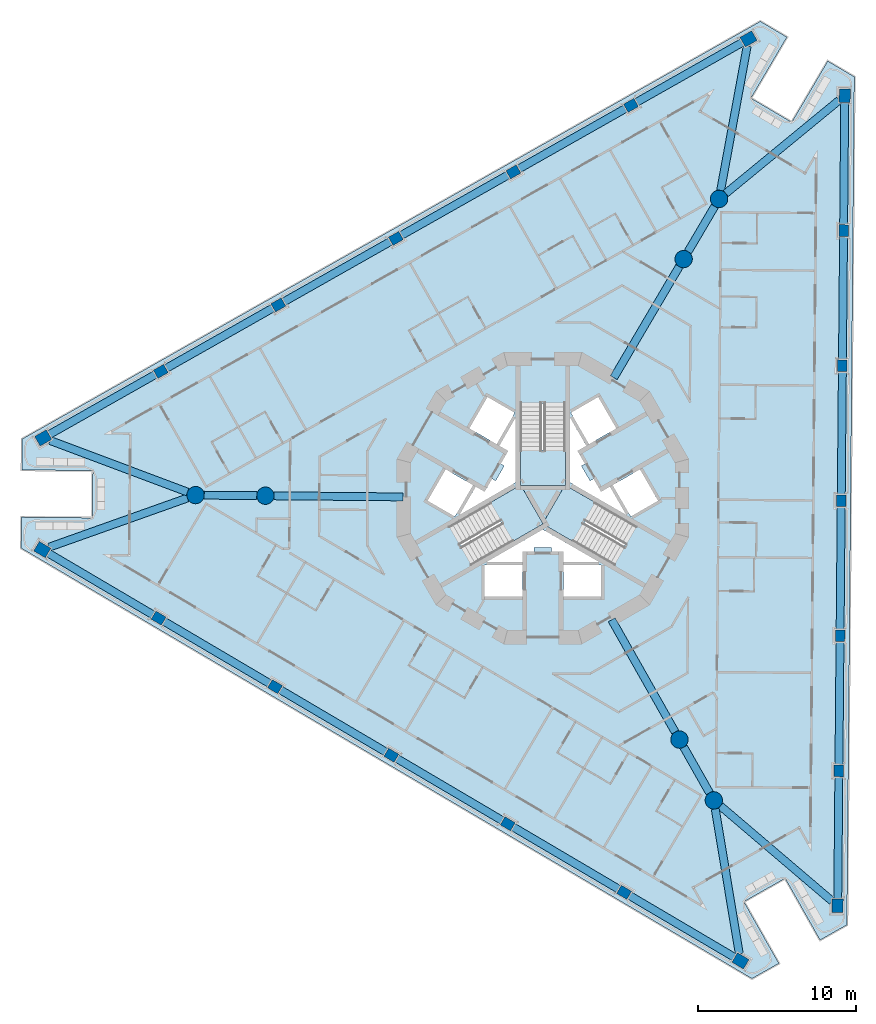
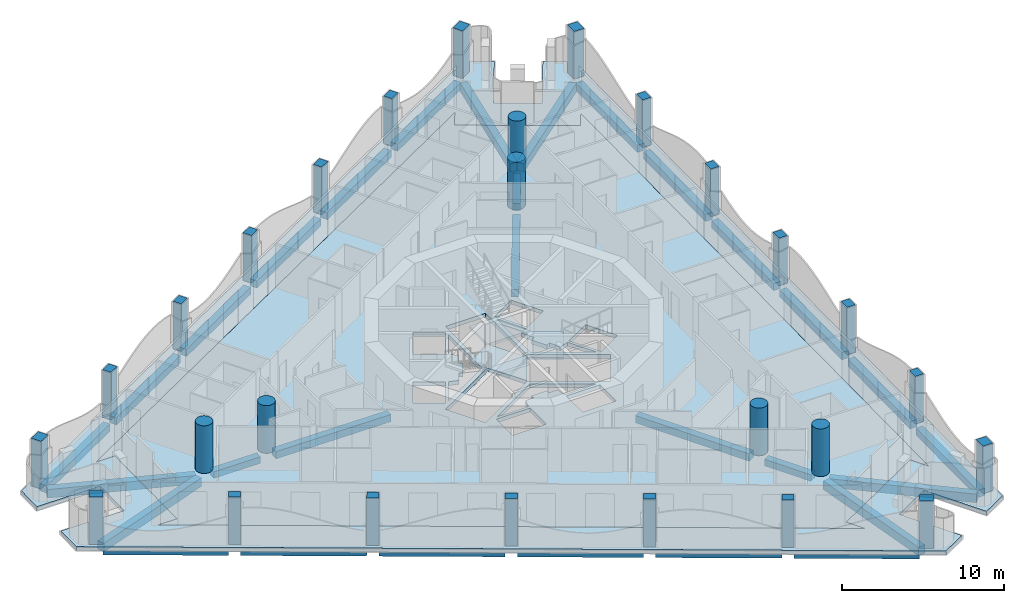
# One storey, part 1 of 17: 30 beams, 27 columns, 6 slabs, 3 elements without a shape of their own.
"""IFC4 building model written with IfcOpenShell, lengths in metres."""

from ifc_helpers import new_model, si_unit, direction, frame, origin, origin_2d, place, context, subcontext, project, spatial, polyline, rectangle, circle, outline, extrude, material, layer, layer_set, material_profile, profile_set, type_object, element, aggregate, save


model = new_model("IFC4")

# Units and contexts
model_context = context("Model", 3, precision=1e-05, world=origin(), true_north=direction((0.0, 1.0)))
body_context = subcontext(model_context, "Body", "Model", "MODEL_VIEW")
ifc_project = project(units=[si_unit("LENGTHUNIT", "METRE"), si_unit("AREAUNIT", "SQUARE_METRE"), si_unit("VOLUMEUNIT", "CUBIC_METRE"), si_unit("PLANEANGLEUNIT", "RADIAN"), si_unit("MASSUNIT", "GRAM", prefix="KILO")], contexts=[model_context])

# Site, building, storey
site_placement = place(None, origin())
site = spatial("IfcSite", under=ifc_project, at=site_placement, CompositionType="ELEMENT")
building_placement = place(site_placement, origin())
building = spatial("IfcBuilding", under=site, at=building_placement, Name="Trine Commons Tower", CompositionType="ELEMENT")
storey_placement = place(building_placement, frame((0.0, 0.0, 168.300048828125)))
storey = spatial("IfcBuildingStorey", under=building, at=storey_placement, Name="L43", CompositionType="ELEMENT", Elevation=168.300048828125)

# Columns
ifc_material_1 = material(Name="Concrete C60/75", Category="concrete")
ifc_material_profile_1 = material_profile(ifc_material_1, rectangle(XDim=0.75, YDim=0.60009765625, at=origin_2d()), Name="RC 750x600")
ifc_profile_set_1 = profile_set([ifc_material_profile_1], Name="Concrete C60/75")
column_type_1 = type_object("IfcColumnType", Name="RC column 750x600, C60/75", PredefinedType="COLUMN", material=ifc_profile_set_1)
for number, where, z_axis, x_axis, name in (
    (1, (85.15771484375, 37.483154296875, 0.0), (0.0, 0.0, 1.0), (-0.861629160442, 0.507538362961, 0.0), "Column PC5-02 L43"),
    (2, (77.773193359375, 41.8330078125, 0.0), (0.0, 0.0, 1.0), (-0.861629160442, 0.507538362961, 0.0), "Column PC5-03 L43"),
    (3, (70.388427734375, 46.182861328125, 0.0), (0.0, 0.0, 1.0), (-0.861629160442, 0.507538362961, 0.0), "Column PC5-04 L43"),
    (4, (63.00390625, 50.53271484375, 0.0), (0.0, 0.0, 1.0), (-0.861629160442, 0.507538362961, 0.0), "Column PC5-05 L43"),
    (5, (55.619140625, 54.8828125, 0.0), (0.0, 0.0, 1.0), (-0.861629160442, 0.507538362961, 0.0), "Column PC5-06 L43"),
    (6, (55.755859375, 70.541748046875, 0.0), (0.0, 0.0, 1.0), (0.87035569594, 0.492423560103, 0.0), "Column PC5-09 L43"),
    (7, (63.215087890625, 74.761962890625, 0.0), (0.0, 0.0, 1.0), (0.87035569594, 0.492423560103, 0.0), "Column PC5-10 L43"),
    (8, (70.6748046875, 78.982421875, 0.0), (0.0, 0.0, 1.0), (0.87035569594, 0.492423560103, 0.0), "Column PC5-11 L43"),
    (9, (78.13427734375, 83.202880859375, 0.0), (0.0, 0.0, 1.0), (0.87035569594, 0.492423560103, 0.0), "Column PC5-12 L43"),
    (10, (85.59375, 87.423095703125, 0.0), (0.0, 0.0, 1.0), (0.87035569594, 0.492423560103, 0.0), "Column PC5-13 L43"),
    (11, (99.08642578125, 79.475341796875, 0.0), (0.0, 0.0, 1.0), (0.008726535498, 0.999961923064, 0.0), "Column PC5-16 L43"),
    (12, (99.01171875, 70.905029296875, 0.0), (0.0, 0.0, 1.0), (0.008726535498, 0.999961923064, 0.0), "Column PC5-17 L43"),
    (13, (98.936767578125, 62.334716796875, 0.0), (0.0, 0.0, 1.0), (0.008726535498, 0.999961923064, 0.0), "Column PC5-18 L43"),
    (14, (98.862060546875, 53.764404296875, 0.0), (0.0, 0.0, 1.0), (0.008726535498, 0.999961923064, 0.0), "Column PC5-19 L43"),
    (15, (98.787109375, 45.194091796875, 0.0), (0.0, 0.0, 1.0), (0.008726535498, 0.999961923064, 0.0), "Column PC5-20 L43"),
):
    element("IfcColumn", number, at=place(storey_placement, frame(where, z_axis=z_axis, x_axis=x_axis)), inside=storey, type_object=column_type_1, Name=name, PredefinedType="COLUMN", context=body_context, shape_type="SweptSolid", body=[
        extrude(rectangle(XDim=0.75, YDim=0.60009765625, at=origin_2d()), origin(), (0.0, 0.0, 1.0), 3.599853515625),
    ])
ifc_material_profile_2 = material_profile(ifc_material_1, rectangle(XDim=0.85009765625, YDim=0.699951171875, at=origin_2d()), Name="RC 850x700")
ifc_profile_set_2 = profile_set([ifc_material_profile_2], Name="Concrete C60/75")
column_type_2 = type_object("IfcColumnType", Name="RC column 850x700, C60/75", PredefinedType="COLUMN", material=ifc_profile_set_2)
for number, where, z_axis, x_axis, name in (
    (16, (92.54248046875, 33.133056640625, 0.0), (0.0, 0.0, 1.0), (-0.861629160442, 0.507538362961, 0.0), "Column PC5-01 L43"),
    (17, (48.234375, 59.232666015625, 0.0), (0.0, 0.0, 1.0), (-0.861629160442, 0.507538362961, 0.0), "Column PC5-07 L43"),
    (18, (48.29638671875, 66.3212890625, 0.0), (0.0, 0.0, 1.0), (0.87035569594, 0.492423560103, 0.0), "Column PC5-08 L43"),
    (19, (93.052978515625, 91.6435546875, 0.0), (0.0, 0.0, 1.0), (0.87035569594, 0.492423560103, 0.0), "Column PC5-14 L43"),
    (20, (99.1611328125, 88.045654296875, 0.0), (0.0, 0.0, 1.0), (0.008726535498, 0.999961923064, 0.0), "Column PC5-15 L43"),
    (21, (98.71240234375, 36.623779296875, 0.0), (0.0, 0.0, 1.0), (0.008726535498, 0.999961923064, 0.0), "Column PC5-21 L43"),
):
    element("IfcColumn", number, at=place(storey_placement, frame(where, z_axis=z_axis, x_axis=x_axis)), inside=storey, type_object=column_type_2, Name=name, PredefinedType="COLUMN", context=body_context, shape_type="SweptSolid", body=[
        extrude(rectangle(XDim=0.85009765625, YDim=0.699951171875, at=origin_2d()), origin(), (0.0, 0.0, 1.0), 3.599853515625),
    ])
ifc_material_profile_3 = material_profile(ifc_material_1, circle(Radius=0.550048828125, at=origin_2d()), Name="RC round 1100")
ifc_profile_set_3 = profile_set([ifc_material_profile_3], Name="Concrete C60/75")
column_type_3 = type_object("IfcColumnType", Name="RC round column 1100 mm, C60/75", PredefinedType="COLUMN", material=ifc_profile_set_3)
for number, where, z_axis, x_axis, name in (
    (22, (88.66943359375, 47.177001953125, 0.0), (0.0, 0.0, 1.0), (1.0, 0.0, 0.0), "Column WC5-1 L43"),
    (23, (90.85205078125, 43.319091796875, 0.0), (0.0, 0.0, 1.0), (1.0, 0.0, 0.0), "Column WC5-2 L43"),
    (24, (88.935546875, 77.66943359375, 0.0), (0.0, 0.0, 1.0), (1.0, 0.0, 0.0), "Column WC5-3 L43"),
    (25, (91.185302734375, 81.488525390625, 0.0), (0.0, 0.0, 1.0), (1.0, 0.0, 0.0), "Column WC5-4 L43"),
    (26, (62.39501953125, 62.653564453125, 0.0), (0.0, 0.0, 1.0), (1.0, 0.0, 0.0), "Column WC5-5 L43"),
    (27, (57.962890625, 62.6923828125, 0.0), (0.0, 0.0, 1.0), (1.0, 0.0, 0.0), "Column WC5-6 L43"),
):
    element("IfcColumn", number, at=place(storey_placement, frame(where, z_axis=z_axis, x_axis=x_axis)), inside=storey, type_object=column_type_3, Name=name, PredefinedType="COLUMN", context=body_context, shape_type="SweptSolid", body=[
        extrude(circle(Radius=0.550048828125, at=origin_2d()), origin(), (0.0, 0.0, 1.0), 3.599853515625),
    ])

# Beams
ifc_material_2 = material(Name="Concrete C40/50", Category="concrete")
ifc_material_profile_4 = material_profile(ifc_material_2, rectangle(XDim=0.5, YDim=0.5, at=origin_2d()), Name="RC 500x500")
ifc_profile_set_4 = profile_set([ifc_material_profile_4], Name="Concrete C40/50")
beam_type_1 = type_object("IfcBeamType", Name="RC beam 500x500, C40/50", PredefinedType="BEAM", material=ifc_profile_set_4)
beam_1_placement = place(storey_placement, frame((88.93994140625, 46.698486328125, -0.550048828125), z_axis=(0.492474717644, -0.870326750411, 0.0), x_axis=(0.870326750411, 0.492474717644, 0.0)))
element("IfcBeam", 28, at=beam_1_placement, inside=storey, type_object=beam_type_1, Name="Beam RB5-02 L43", PredefinedType="BEAM", context=body_context, shape_type="SweptSolid", body=[
    extrude(rectangle(XDim=0.5, YDim=0.5, at=origin_2d()), origin(), (0.0, 0.0, 1.0), 3.333251953125),
])
beam_2_placement = place(storey_placement, frame((89.21435546875, 78.142578125, -0.550048828125), z_axis=(0.507522450497, 0.861638533401, 0.0), x_axis=(-0.861638533401, 0.507522450497, 0.0)))
element("IfcBeam", 29, at=beam_2_placement, inside=storey, type_object=beam_type_1, Name="Beam RB5-04 L43", PredefinedType="BEAM", context=body_context, shape_type="SweptSolid", body=[
    extrude(rectangle(XDim=0.5, YDim=0.5, at=origin_2d()), origin(), (0.0, 0.0, 1.0), 3.334228515625),
])
beam_3_placement = place(storey_placement, frame((61.84521484375, 62.658447265625, -0.550048828125), z_axis=(-0.999962000851, 0.008717617443, 0.0), x_axis=(-0.008717617443, -0.999962000851, 0.0)))
element("IfcBeam", 30, at=beam_3_placement, inside=storey, type_object=beam_type_1, Name="Beam RB5-06 L43", PredefinedType="BEAM", context=body_context, shape_type="SweptSolid", body=[
    extrude(rectangle(XDim=0.5, YDim=0.5, at=origin_2d()), origin(), (0.0, 0.0, 1.0), 3.332763671875),
])
ifc_material_profile_5 = material_profile(ifc_material_2, rectangle(XDim=0.5, YDim=0.550048828125, at=origin_2d()), Name="RC 500x550")
ifc_profile_set_5 = profile_set([ifc_material_profile_5], Name="Concrete C40/50")
beam_type_2 = type_object("IfcBeamType", Name="RC beam 500x550, C40/50", PredefinedType="BEAM", material=ifc_profile_set_5)
beam_4_placement = place(storey_placement, frame((92.17626953125, 33.348876953125, -0.574951171875), z_axis=(-0.861628755535, 0.507539050354, 0.0), x_axis=(-0.507539050354, -0.861628755535, 0.0)))
element("IfcBeam", 31, at=beam_4_placement, inside=storey, type_object=beam_type_2, Name="Beam EB5-01 L43", PredefinedType="BEAM", context=body_context, shape_type="SweptSolid", body=[
    extrude(rectangle(XDim=0.5, YDim=0.550048828125, at=origin_2d()), origin(), (0.0, 0.0, 1.0), 7.7705078125),
])
beam_5_placement = place(storey_placement, frame((84.834716796875, 37.67333984375, -0.574951171875), z_axis=(-0.861632320767, 0.507532997755, 0.0), x_axis=(-0.507532997755, -0.861632320767, 0.0)))
element("IfcBeam", 32, at=beam_5_placement, inside=storey, type_object=beam_type_2, Name="Beam EB5-02 L43", PredefinedType="BEAM", context=body_context, shape_type="SweptSolid", body=[
    extrude(rectangle(XDim=0.5, YDim=0.550048828125, at=origin_2d()), origin(), (0.0, 0.0, 1.0), 7.820556640625),
])
beam_6_placement = place(storey_placement, frame((77.4501953125, 42.023193359375, -0.574951171875), z_axis=(-0.861618669075, 0.507556173345, 0.0), x_axis=(-0.507556173345, -0.861618669075, 0.0)))
element("IfcBeam", 33, at=beam_6_placement, inside=storey, type_object=beam_type_2, Name="Beam EB5-03 L43", PredefinedType="BEAM", context=body_context, shape_type="SweptSolid", body=[
    extrude(rectangle(XDim=0.5, YDim=0.550048828125, at=origin_2d()), origin(), (0.0, 0.0, 1.0), 7.82080078125),
])
for number, where, z_axis, x_axis, name in (
    (34, (70.0654296875, 46.373291015625, -0.574951171875), (-0.861632320767, 0.507532997755, 0.0), (-0.507532997755, -0.861632320767, 0.0), "Beam EB5-04 L43"),
    (35, (62.6806640625, 50.72314453125, -0.574951171875), (-0.861632320767, 0.507532997755, 0.0), (-0.507532997755, -0.861632320767, 0.0), "Beam EB5-05 L43"),
):
    element("IfcBeam", number, at=place(storey_placement, frame(where, z_axis=z_axis, x_axis=x_axis)), inside=storey, type_object=beam_type_2, Name=name, PredefinedType="BEAM", context=body_context, shape_type="SweptSolid", body=[
        extrude(rectangle(XDim=0.5, YDim=0.550048828125, at=origin_2d()), origin(), (0.0, 0.0, 1.0), 7.820556640625),
    ])
for number, where, z_axis, x_axis, name in (
    (36, (55.2958984375, 55.072998046875, -0.574951171875), (-0.861628755535, 0.507539050354, 0.0), (-0.507539050354, -0.861628755535, 0.0), "Beam EB5-06 L43"),
    (37, (48.666259765625, 66.530517578125, -0.574951171875), (0.870356200913, 0.492422667566, 0.0), (-0.492422667566, 0.870356200913, 0.0), "Beam EB5-07 L43"),
):
    element("IfcBeam", number, at=place(storey_placement, frame(where, z_axis=z_axis, x_axis=x_axis)), inside=storey, type_object=beam_type_2, Name=name, PredefinedType="BEAM", context=body_context, shape_type="SweptSolid", body=[
        extrude(rectangle(XDim=0.5, YDim=0.550048828125, at=origin_2d()), origin(), (0.0, 0.0, 1.0), 7.7705078125),
    ])
for number, where, z_axis, x_axis, name in (
    (38, (56.082275390625, 70.726318359375, -0.574951171875), (0.87035228491, 0.49242958903, 0.0), (-0.49242958903, 0.87035228491, 0.0), "Beam EB5-08 L43"),
    (39, (63.54150390625, 74.94677734375, -0.574951171875), (0.870373233333, 0.492392561578, 0.0), (-0.492392561578, 0.870373233333, 0.0), "Beam EB5-09 L43"),
    (40, (71.001220703125, 79.1669921875, -0.574951171875), (0.87035228491, 0.49242958903, 0.0), (-0.49242958903, 0.87035228491, 0.0), "Beam EB5-10 L43"),
    (41, (78.460693359375, 83.387451171875, -0.574951171875), (0.870365664344, 0.492405940592, 0.0), (-0.492405940592, 0.870365664344, 0.0), "Beam EB5-11 L43"),
):
    element("IfcBeam", number, at=place(storey_placement, frame(where, z_axis=z_axis, x_axis=x_axis)), inside=storey, type_object=beam_type_2, Name=name, PredefinedType="BEAM", context=body_context, shape_type="SweptSolid", body=[
        extrude(rectangle(XDim=0.5, YDim=0.550048828125, at=origin_2d()), origin(), (0.0, 0.0, 1.0), 7.820556640625),
    ])
beam_7_placement = place(storey_placement, frame((85.920166015625, 87.60791015625, -0.574951171875), z_axis=(0.870362048186, 0.492412332377, 0.0), x_axis=(-0.492412332377, 0.870362048186, 0.0)))
element("IfcBeam", 42, at=beam_7_placement, inside=storey, type_object=beam_type_2, Name="Beam EB5-12 L43", PredefinedType="BEAM", context=body_context, shape_type="SweptSolid", body=[
    extrude(rectangle(XDim=0.5, YDim=0.550048828125, at=origin_2d()), origin(), (0.0, 0.0, 1.0), 7.770263671875),
])
beam_8_placement = place(storey_placement, frame((99.157470703125, 87.62060546875, -0.574951171875), z_axis=(-0.008734388901, -0.999961854498, 0.0), x_axis=(0.999961854498, -0.008734388901, 0.0)))
element("IfcBeam", 43, at=beam_8_placement, inside=storey, type_object=beam_type_2, Name="Beam EB5-13 L43", PredefinedType="BEAM", context=body_context, shape_type="SweptSolid", body=[
    extrude(rectangle(XDim=0.5, YDim=0.550048828125, at=origin_2d()), origin(), (0.0, 0.0, 1.0), 7.7705078125),
])
for number, where, z_axis, x_axis, name in (
    (44, (99.0830078125, 79.100341796875, -0.574951171875), (-0.008709709586, -0.99996206976, 0.0), (0.99996206976, -0.008709709586, 0.0), "Beam EB5-14 L43"),
    (45, (99.00830078125, 70.530029296875, -0.574951171875), (-0.008709709586, -0.99996206976, 0.0), (0.99996206976, -0.008709709586, 0.0), "Beam EB5-15 L43"),
    (46, (98.93359375, 61.959716796875, -0.574951171875), (-0.008740924802, -0.999961797387, 0.0), (0.999961797387, -0.008740924802, 0.0), "Beam EB5-16 L43"),
    (47, (98.858642578125, 53.389404296875, -0.574951171875), (-0.008709709586, -0.99996206976, 0.0), (0.99996206976, -0.008709709586, 0.0), "Beam EB5-17 L43"),
):
    element("IfcBeam", number, at=place(storey_placement, frame(where, z_axis=z_axis, x_axis=x_axis)), inside=storey, type_object=beam_type_2, Name=name, PredefinedType="BEAM", context=body_context, shape_type="SweptSolid", body=[
        extrude(rectangle(XDim=0.5, YDim=0.550048828125, at=origin_2d()), origin(), (0.0, 0.0, 1.0), 7.820556640625),
    ])
beam_9_placement = place(storey_placement, frame((98.783935546875, 44.819091796875, -0.574951171875), z_axis=(-0.008734388901, -0.999961854498, 0.0), x_axis=(0.999961854498, -0.008734388901, 0.0)))
element("IfcBeam", 48, at=beam_9_placement, inside=storey, type_object=beam_type_2, Name="Beam EB5-18 L43", PredefinedType="BEAM", context=body_context, shape_type="SweptSolid", body=[
    extrude(rectangle(XDim=0.5, YDim=0.550048828125, at=origin_2d()), origin(), (0.0, 0.0, 1.0), 7.7705078125),
])
beam_10_placement = place(storey_placement, frame((84.369384765625, 54.777099609375, -0.574951171875), z_axis=(0.492419995537, -0.870357712665, 0.0), x_axis=(0.870357712665, 0.492419995537, 0.0)))
element("IfcBeam", 49, at=beam_10_placement, inside=storey, type_object=beam_type_2, Name="Beam RB5-01 L43", PredefinedType="BEAM", context=body_context, shape_type="SweptSolid", body=[
    extrude(rectangle(XDim=0.5, YDim=0.550048828125, at=origin_2d()), origin(), (0.0, 0.0, 1.0), 8.1826171875),
])
beam_11_placement = place(storey_placement, frame((84.50341796875, 70.1455078125, -0.574951171875), z_axis=(0.507559825452, 0.861616517708, 0.0), x_axis=(-0.861616517708, 0.507559825452, 0.0)))
element("IfcBeam", 50, at=beam_11_placement, inside=storey, type_object=beam_type_2, Name="Beam RB5-03 L43", PredefinedType="BEAM", context=body_context, shape_type="SweptSolid", body=[
    extrude(rectangle(XDim=0.5, YDim=0.550048828125, at=origin_2d()), origin(), (0.0, 0.0, 1.0), 8.182861328125),
])
beam_12_placement = place(storey_placement, frame((71.127197265625, 62.577392578125, -0.574951171875), z_axis=(-0.999962048186, 0.008712186128, 0.0), x_axis=(-0.008712186128, -0.999962048186, 0.0)))
element("IfcBeam", 51, at=beam_12_placement, inside=storey, type_object=beam_type_2, Name="Beam RB5-05 L43", PredefinedType="BEAM", context=body_context, shape_type="SweptSolid", body=[
    extrude(rectangle(XDim=0.5, YDim=0.550048828125, at=origin_2d()), origin(), (0.0, 0.0, 1.0), 8.1826171875),
])
ifc_material_profile_6 = material_profile(ifc_material_2, rectangle(XDim=0.5, YDim=0.64990234375, at=origin_2d()), Name="RC 500x650")
ifc_profile_set_6 = profile_set([ifc_material_profile_6], Name="Concrete C40/50")
beam_type_3 = type_object("IfcBeamType", Name="RC beam 500x650, C40/50", PredefinedType="BEAM", material=ifc_profile_set_6)
beam_13_placement = place(storey_placement, frame((48.664306640625, 59.385498046875, -0.625), z_axis=(0.94219208675, 0.335073233287, 0.0), x_axis=(-0.335073233287, 0.94219208675, 0.0)))
element("IfcBeam", 52, at=beam_13_placement, inside=storey, type_object=beam_type_3, Name="Beam CB5-01 L43", PredefinedType="BEAM", context=body_context, shape_type="SweptSolid", body=[
    extrude(rectangle(XDim=0.5, YDim=0.64990234375, at=origin_2d()), origin(), (0.0, 0.0, 1.0), 9.31982421875),
])
beam_14_placement = place(storey_placement, frame((48.7236328125, 66.160888671875, -0.625), z_axis=(0.936203156272, -0.351459315123, 0.0), x_axis=(0.351459315123, 0.936203156272, 0.0)))
element("IfcBeam", 53, at=beam_14_placement, inside=storey, type_object=beam_type_3, Name="Beam CB5-02 L43", PredefinedType="BEAM", context=body_context, shape_type="SweptSolid", body=[
    extrude(rectangle(XDim=0.5, YDim=0.64990234375, at=origin_2d()), origin(), (0.0, 0.0, 1.0), 9.3193359375),
])
beam_15_placement = place(storey_placement, frame((92.970458984375, 91.194580078125, -0.625), z_axis=(-0.180897704794, -0.983501916826, 0.0), x_axis=(0.983501916826, -0.180897704794, 0.0)))
element("IfcBeam", 54, at=beam_15_placement, inside=storey, type_object=beam_type_3, Name="Beam CB5-03 L43", PredefinedType="BEAM", context=body_context, shape_type="SweptSolid", body=[
    extrude(rectangle(XDim=0.5, YDim=0.64990234375, at=origin_2d()), origin(), (0.0, 0.0, 1.0), 9.319091796875),
])
beam_16_placement = place(storey_placement, frame((98.80859375, 87.755859375, -0.625), z_axis=(-0.772466897343, -0.635055031087, 0.0), x_axis=(0.635055031087, -0.772466897343, 0.0)))
element("IfcBeam", 55, at=beam_16_placement, inside=storey, type_object=beam_type_3, Name="Beam CB5-04 L43", PredefinedType="BEAM", context=body_context, shape_type="SweptSolid", body=[
    extrude(rectangle(XDim=0.5, YDim=0.64990234375, at=origin_2d()), origin(), (0.0, 0.0, 1.0), 9.31884765625),
])
beam_17_placement = place(storey_placement, frame((98.364990234375, 36.919921875, -0.625), z_axis=(-0.761281547068, 0.648421472573, 0.0), x_axis=(-0.648421472573, -0.761281547068, 0.0)))
element("IfcBeam", 56, at=beam_17_placement, inside=storey, type_object=beam_type_3, Name="Beam CB5-05 L43", PredefinedType="BEAM", context=body_context, shape_type="SweptSolid", body=[
    extrude(rectangle(XDim=0.5, YDim=0.64990234375, at=origin_2d()), origin(), (0.0, 0.0, 1.0), 9.319091796875),
])
beam_18_placement = place(storey_placement, frame((92.4677734375, 33.583251953125, -0.625), z_axis=(-0.163727753956, 0.986505561355, 0.0), x_axis=(-0.986505561355, -0.163727753956, 0.0)))
element("IfcBeam", 57, at=beam_18_placement, inside=storey, type_object=beam_type_3, Name="Beam CB5-06 L43", PredefinedType="BEAM", context=body_context, shape_type="SweptSolid", body=[
    extrude(rectangle(XDim=0.5, YDim=0.64990234375, at=origin_2d()), origin(), (0.0, 0.0, 1.0), 9.319580078125),
])

# Slabs
ifc_layer_1 = layer(ifc_material_2, 0.300048828125)
ifc_layer_set_1 = layer_set([ifc_layer_1], Name="Concrete C40/50")
slab_type_1 = type_object("IfcSlabType", Name="Loggia slab 300 mm, C40/50", PredefinedType="FLOOR", material=ifc_layer_set_1)
slab_1_placement = place(storey_placement, frame((0.0, 0.0, -0.300048828125)))
element("IfcSlab", 58, at=slab_1_placement, inside=storey, type_object=slab_type_1, Name="Loggia slab L43", PredefinedType="FLOOR", context=body_context, shape_type="SweptSolid", body=[
    extrude(outline(polyline([(99.302001953125, 35.418701171875), (99.771484375, 89.240234375), (98.079345703125, 90.237060546875), (95.79541015625, 86.35986328125), (93.21044921875, 87.88232421875), (95.494384765625, 91.759765625), (93.802001953125, 92.756591796875), (46.956298828125, 66.252685546875), (46.939208984375, 64.28857421875), (51.439208984375, 64.249267578125), (51.412841796875, 61.24951171875), (46.9130859375, 61.288818359375), (46.89599609375, 59.32470703125), (93.27197265625, 32.007080078125), (94.9814453125, 32.974365234375), (92.765380859375, 36.890869140625), (95.376708984375, 38.3681640625), (97.592529296875, 34.45166015625), (99.302001953125, 35.418701171875)]), holes=[polyline([(90.156982421875, 36.627197265625), (89.494873046875, 37.7978515625), (96.28369140625, 41.638916015625), (96.94580078125, 40.46826171875), (97.327880859375, 84.232666015625), (96.645263671875, 83.07373046875), (89.924560546875, 87.03271484375), (90.607177734375, 88.19140625), (52.514892578125, 66.639892578125), (53.860107421875, 66.62841796875), (53.7919921875, 58.82861328125), (52.447021484375, 58.84033203125), (90.156982421875, 36.627197265625)])]), origin(), (0.0, 0.0, 1.0), 0.300048828125),
])
ifc_layer_2 = layer(ifc_material_2, 0.300048828125)
ifc_layer_set_2 = layer_set([ifc_layer_2], Name="Concrete C40/50")
slab_type_2 = type_object("IfcSlabType", Name="PT flat slab 300 mm, C40/50", PredefinedType="FLOOR", material=ifc_layer_set_2)
slab_2_placement = place(storey_placement, frame((0.0, 0.0, -0.300048828125)))
element("IfcSlab", 59, at=slab_2_placement, inside=storey, type_object=slab_type_2, Name="Floor slab L43", PredefinedType="FLOOR", context=body_context, shape_type="SweptSolid", body=[
    extrude(outline(polyline([(52.447021484375, 58.84033203125), (90.156982421875, 36.627197265625), (89.494873046875, 37.7978515625), (96.28369140625, 41.638916015625), (96.94580078125, 40.46826171875), (97.327880859375, 84.232666015625), (96.645263671875, 83.07373046875), (89.924560546875, 87.03271484375), (90.607177734375, 88.19140625), (52.514892578125, 66.639892578125), (53.860107421875, 66.62841796875), (53.7919921875, 58.82861328125), (52.447021484375, 58.84033203125)]), holes=[polyline([(78.699951171875, 56.25), (78.699951171875, 58.25), (76.300048828125, 58.25), (76.300048828125, 56.25), (78.699951171875, 56.25)]), polyline([(80.0, 60.8544921875), (84.4755859375, 58.2705078125), (85.900390625, 60.73876953125), (81.425048828125, 63.32275390625), (81.425048828125, 68.490478515625), (78.574951171875, 68.490478515625), (78.574951171875, 63.32275390625), (74.099609375, 60.73876953125), (75.5244140625, 58.2705078125), (80.0, 60.8544921875)]), polyline([(73.83740234375, 64.325927734375), (72.687255859375, 62.333984375), (74.41943359375, 61.333984375), (75.5693359375, 63.325927734375), (73.83740234375, 64.325927734375)]), polyline([(76.381103515625, 63.031005859375), (75.742919921875, 63.22607421875), (74.7099609375, 61.43798828125), (78.27490234375, 63.49609375), (78.27490234375, 67.612060546875), (77.242919921875, 65.823974609375), (77.73095703125, 65.368896484375), (77.3310546875, 64.676025390625), (77.555908203125, 64.5458984375), (77.006103515625, 63.593994140625), (76.781005859375, 63.722900390625), (76.381103515625, 63.031005859375)]), polyline([(76.4873046875, 68.916015625), (75.33740234375, 66.924072265625), (77.0693359375, 65.924072265625), (78.219482421875, 67.916015625), (76.4873046875, 68.916015625)]), polyline([(83.699951171875, 56.25), (83.699951171875, 58.25), (81.300048828125, 58.25), (81.300048828125, 56.25), (83.699951171875, 56.25)]), polyline([(81.14990234375, 59.10009765625), (81.300048828125, 58.449951171875), (83.56494140625, 58.449951171875), (80.0, 60.508056640625), (76.43505859375, 58.449951171875), (78.699951171875, 58.449951171875), (78.85009765625, 59.10009765625), (79.449951171875, 59.10009765625), (79.449951171875, 59.360107421875), (80.550048828125, 59.360107421875), (80.550048828125, 59.10009765625), (81.14990234375, 59.10009765625)]), polyline([(86.16259765625, 64.325927734375), (84.4306640625, 63.325927734375), (85.58056640625, 61.333984375), (87.312744140625, 62.333984375), (86.16259765625, 64.325927734375)]), polyline([(83.243896484375, 63.738037109375), (82.993896484375, 63.593994140625), (82.444091796875, 64.5458984375), (82.72705078125, 64.7099609375), (82.281005859375, 65.549072265625), (82.757080078125, 65.823974609375), (81.72509765625, 67.612060546875), (81.72509765625, 63.49609375), (85.2900390625, 61.43798828125), (84.257080078125, 63.22607421875), (83.618896484375, 63.031005859375), (83.243896484375, 63.738037109375)]), polyline([(84.66259765625, 66.924072265625), (83.5126953125, 68.916015625), (81.780517578125, 67.916015625), (82.9306640625, 65.924072265625), (84.66259765625, 66.924072265625)])]), origin(), (0.0, 0.0, 1.0), 0.300048828125),
])
slab_3_placement = place(storey_placement, frame((0.0, 0.0, -0.300048828125)))
element("IfcSlab", 60, at=slab_3_placement, inside=storey, type_object=slab_type_2, Name="Floor slab L43 2", PredefinedType="FLOOR", context=body_context, shape_type="SweptSolid", body=[
    extrude(outline(polyline([(78.61328125, 63.300537109375), (80.0, 60.89892578125), (81.38671875, 63.300537109375), (78.61328125, 63.300537109375)])), origin(), (0.0, 0.0, 1.0), 0.300048828125),
])

# Stair, slab
ifc_material_3 = material(Name="Concrete C50/60", Category="concrete")
stair_type = type_object("IfcStairType", Name="Exit stair, dog-leg, 24 risers of 150 mm", PredefinedType="HALF_TURN_STAIR", material=ifc_material_3)
stair_1_placement = place(storey_placement, origin())
stair_1 = element("IfcStair", 61, at=stair_1_placement, inside=storey, type_object=stair_type, Name="L43 Exit stair ST1B", PredefinedType="HALF_TURN_STAIR")
ifc_layer_3 = layer(ifc_material_3, 0.199951171875)
ifc_layer_set_3 = layer_set([ifc_layer_3], Name="Concrete C50/60")
slab_type_3 = type_object("IfcSlabType", Name="Stair landing slab 200 mm, C50/60", PredefinedType="LANDING", material=ifc_layer_set_3)
slab_4_placement = place(storey_placement, frame((0.0, 0.0, 1.599853515625)))
slab_4 = element("IfcSlab", 62, at=slab_4_placement, type_object=slab_type_3, Name="ST1B landing 1", PredefinedType="LANDING", context=body_context, shape_type="SweptSolid", body=[
    extrude(outline(polyline([(78.574951171875, 65.570556640625), (78.574951171875, 63.300537109375), (81.425048828125, 63.300537109375), (81.425048828125, 65.570556640625), (78.574951171875, 65.570556640625)])), origin(), (0.0, 0.0, 1.0), 0.2001953125),
])
aggregate(stair_1, [slab_4])

stair_2_placement = place(storey_placement, origin())
stair_2 = element("IfcStair", 63, at=stair_2_placement, inside=storey, type_object=stair_type, Name="L43 Exit stair ST2B", PredefinedType="HALF_TURN_STAIR")
slab_5_placement = place(storey_placement, frame((0.0, 0.0, 1.599853515625)))
slab_5 = element("IfcSlab", 64, at=slab_5_placement, type_object=slab_type_3, Name="ST2B landing 1", PredefinedType="LANDING", context=body_context, shape_type="SweptSolid", body=[
    extrude(outline(polyline([(78.05322265625, 59.730712890625), (80.019287109375, 60.86572265625), (78.59423828125, 63.333740234375), (76.628173828125, 62.19873046875), (78.05322265625, 59.730712890625)])), origin(), (0.0, 0.0, 1.0), 0.2001953125),
])
aggregate(stair_2, [slab_5])

stair_3_placement = place(storey_placement, origin())
stair_3 = element("IfcStair", 65, at=stair_3_placement, inside=storey, type_object=stair_type, Name="L43 Exit stair ST3B", PredefinedType="HALF_TURN_STAIR")
slab_6_placement = place(storey_placement, frame((0.0, 0.0, 1.599853515625)))
slab_6 = element("IfcSlab", 66, at=slab_6_placement, type_object=slab_type_3, Name="ST3B landing 1", PredefinedType="LANDING", context=body_context, shape_type="SweptSolid", body=[
    extrude(outline(polyline([(83.371826171875, 62.19873046875), (81.40576171875, 63.333740234375), (79.980712890625, 60.86572265625), (81.94677734375, 59.730712890625), (83.371826171875, 62.19873046875)])), origin(), (0.0, 0.0, 1.0), 0.2001953125),
])
aggregate(stair_3, [slab_6])

save(model, "model.ifc")
